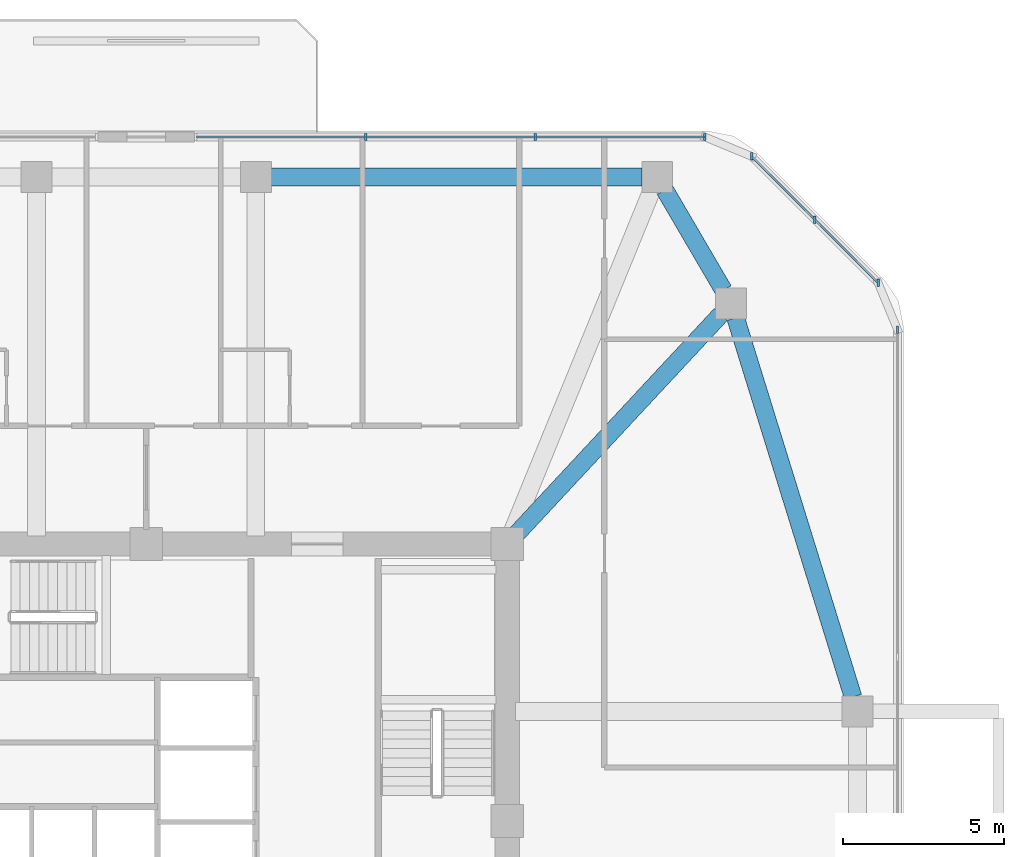
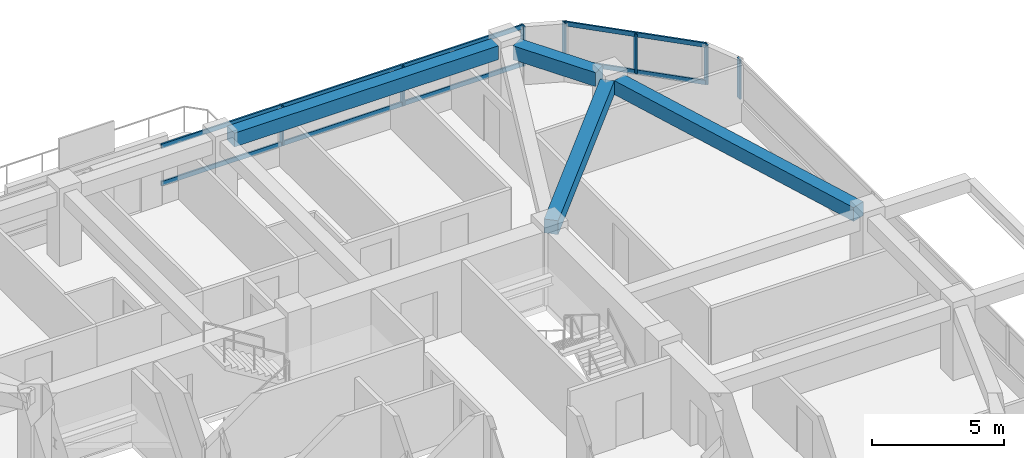
# One storey, part 5 of 12: 11 members, 4 beams, 3 elements without a shape of their own.
"""IFC4 building model written with IfcOpenShell, lengths in metres."""

from ifc_helpers import new_model, si_unit, derived_unit, direction, frame, origin, origin_2d, place, context, subcontext, project, spatial, rectangle, extrude, material, material_profile, profile_set, type_object, element, aggregate, save


model = new_model("IFC4")

# Units and contexts
model_context = context("Model", 3, precision=1e-05, world=origin(), true_north=direction((0.0, 1.0)))
body_context = subcontext(model_context, "Body", "Model", "MODEL_VIEW")
ifc_project = project(units=[si_unit("LENGTHUNIT", "METRE"), si_unit("AREAUNIT", "SQUARE_METRE"), si_unit("VOLUMEUNIT", "CUBIC_METRE"), si_unit("PLANEANGLEUNIT", "RADIAN"), si_unit("MASSUNIT", "GRAM", prefix="KILO"), derived_unit("THERMALTRANSMITTANCEUNIT", [(si_unit("POWERUNIT", "WATT"), 1), (si_unit("LENGTHUNIT", "METRE"), -2), (si_unit("THERMODYNAMICTEMPERATUREUNIT", "KELVIN"), -1)])], contexts=[model_context])

# Site, building, storey
site_placement = place(None, origin())
site = spatial("IfcSite", under=ifc_project, at=site_placement, CompositionType="ELEMENT")
building_placement = place(site_placement, origin())
building = spatial("IfcBuilding", under=site, at=building_placement, Name="Koralith Skygarden Medical Center", CompositionType="ELEMENT")
storey_placement = place(building_placement, frame((0.0, 0.0, 138.419921875)))
storey = spatial("IfcBuildingStorey", under=building, at=storey_placement, Name="L35", CompositionType="ELEMENT", Elevation=138.419921875)

# Curtain wall, member
ifc_material_1 = material(Name="Clear Laminated Glass", Category="glass")
curtain_wall_type = type_object("IfcCurtainWallType", Name="CW-4 Zone 3 Waist High-Wind Curtain Wall", PredefinedType="NOTDEFINED", material=ifc_material_1)
curtain_wall_1_placement = place(storey_placement, origin())
curtain_wall_1 = element("IfcCurtainWall", 1, at=curtain_wall_1_placement, inside=storey, type_object=curtain_wall_type, Name="Curtain Wall CW-L35-E", PredefinedType="NOTDEFINED")
ifc_material_2 = material(Name="Aluminium 6063-T6", Category="aluminium")
ifc_material_profile_1 = material_profile(ifc_material_2, rectangle(XDim=0.076904296875, YDim=0.22998046875, at=origin_2d()), Name="MUL77X230")
ifc_profile_set_1 = profile_set([ifc_material_profile_1], Name="Aluminium 6063-T6")
member_type_1 = type_object("IfcMemberType", Name="CW-4 Extruded Mullion 77x230", PredefinedType="MULLION", material=ifc_profile_set_1)
member_1_placement = place(storey_placement, frame((60.303955078125, 41.14501953125, 0.85009765625), z_axis=(0.0, 0.0, 1.0), x_axis=(1.0, 0.0, 0.0)))
member_1 = element("IfcMember", 2, at=member_1_placement, type_object=member_type_1, Name="CW-L35-E Mullion 4", PredefinedType="MULLION", context=body_context, shape_type="SweptSolid", body=[
    extrude(rectangle(XDim=0.076904296875, YDim=0.22998046875, at=origin_2d()), origin(), (0.0, 0.0, 1.0), 1.820068359375),
])
aggregate(curtain_wall_1, [member_1])

# Curtain wall, members
curtain_wall_2_placement = place(storey_placement, origin())
curtain_wall_2 = element("IfcCurtainWall", 3, at=curtain_wall_2_placement, inside=storey, type_object=curtain_wall_type, Name="Curtain Wall CW-L35-NE", PredefinedType="NOTDEFINED")
member_2_placement = place(storey_placement, frame((59.702880859375, 42.595947265625, 0.85009765625), z_axis=(0.0, 0.0, 1.0), x_axis=(1.0, 0.0, 0.0)))
member_2 = element("IfcMember", 4, at=member_2_placement, type_object=member_type_1, Name="CW-L35-NE Mullion 1", PredefinedType="MULLION", context=body_context, shape_type="SweptSolid", body=[
    extrude(rectangle(XDim=0.076904296875, YDim=0.22998046875, at=origin_2d()), origin(), (0.0, 0.0, 1.0), 1.820068359375),
])
member_3_placement = place(storey_placement, frame((57.741943359375, 44.556884765625, 0.85009765625), z_axis=(0.0, 0.0, 1.0), x_axis=(1.0, 0.0, 0.0)))
member_3 = element("IfcMember", 5, at=member_3_placement, type_object=member_type_1, Name="CW-L35-NE Mullion 2", PredefinedType="MULLION", context=body_context, shape_type="SweptSolid", body=[
    extrude(rectangle(XDim=0.076904296875, YDim=0.22998046875, at=origin_2d()), origin(), (0.0, 0.0, 1.0), 1.820068359375),
])
member_4_placement = place(storey_placement, frame((55.780029296875, 46.51904296875, 0.85009765625), z_axis=(0.0, 0.0, 1.0), x_axis=(1.0, 0.0, 0.0)))
member_4 = element("IfcMember", 6, at=member_4_placement, type_object=member_type_1, Name="CW-L35-NE Mullion 3", PredefinedType="MULLION", context=body_context, shape_type="SweptSolid", body=[
    extrude(rectangle(XDim=0.076904296875, YDim=0.22998046875, at=origin_2d()), origin(), (0.0, 0.0, 1.0), 1.820068359375),
])

curtain_wall_3_placement = place(storey_placement, origin())
curtain_wall_3 = element("IfcCurtainWall", 7, at=curtain_wall_3_placement, inside=storey, type_object=curtain_wall_type, Name="Curtain Wall CW-L35-N-L", PredefinedType="NOTDEFINED")
member_5_placement = place(storey_placement, frame((54.3291015625, 47.1201171875, 0.85009765625), z_axis=(0.0, 0.0, 1.0), x_axis=(1.0, 0.0, 0.0)))
member_5 = element("IfcMember", 8, at=member_5_placement, type_object=member_type_1, Name="CW-L35-N-L Mullion 1", PredefinedType="MULLION", context=body_context, shape_type="SweptSolid", body=[
    extrude(rectangle(XDim=0.076904296875, YDim=0.22998046875, at=origin_2d()), origin(), (0.0, 0.0, 1.0), 1.820068359375),
])
member_6_placement = place(storey_placement, frame((49.06591796875, 47.1201171875, 0.85009765625), z_axis=(0.0, 0.0, 1.0), x_axis=(1.0, 0.0, 0.0)))
member_6 = element("IfcMember", 9, at=member_6_placement, type_object=member_type_1, Name="CW-L35-N-L Mullion 2", PredefinedType="MULLION", context=body_context, shape_type="SweptSolid", body=[
    extrude(rectangle(XDim=0.076904296875, YDim=0.22998046875, at=origin_2d()), origin(), (0.0, 0.0, 1.0), 1.820068359375),
])
member_7_placement = place(storey_placement, frame((43.803955078125, 47.1201171875, 0.85009765625), z_axis=(0.0, 0.0, 1.0), x_axis=(1.0, 0.0, 0.0)))
member_7 = element("IfcMember", 10, at=member_7_placement, type_object=member_type_1, Name="CW-L35-N-L Mullion 3", PredefinedType="MULLION", context=body_context, shape_type="SweptSolid", body=[
    extrude(rectangle(XDim=0.076904296875, YDim=0.22998046875, at=origin_2d()), origin(), (0.0, 0.0, 1.0), 1.820068359375),
])

# Member
ifc_material_profile_2 = material_profile(ifc_material_2, rectangle(XDim=0.072021484375, YDim=0.20703125, at=origin_2d()), Name="TRN72X207")
ifc_profile_set_2 = profile_set([ifc_material_profile_2], Name="Aluminium 6063-T6")
member_type_2 = type_object("IfcMemberType", Name="CW-4 Thermal Transom 72x207", PredefinedType="USERDEFINED", material=ifc_profile_set_2)
member_8_placement = place(storey_placement, frame((59.702880859375, 42.595947265625, 0.900146484375), z_axis=(-0.707084777957, 0.707128783731, 0.0), x_axis=(-0.707128783731, -0.707084777957, 0.0)))
member_8 = element("IfcMember", 11, at=member_8_placement, type_object=member_type_2, Name="CW-L35-NE Transom 1", ObjectType="TRANSOM", PredefinedType="USERDEFINED", context=body_context, shape_type="SweptSolid", body=[
    extrude(rectangle(XDim=0.072021484375, YDim=0.20703125, at=origin_2d()), origin(), (0.0, 0.0, 1.0), 5.5478515625),
])

member_9_placement = place(storey_placement, frame((59.702880859375, 42.595947265625, 2.6201171875), z_axis=(-0.707084777957, 0.707128783731, 0.0), x_axis=(-0.707128783731, -0.707084777957, 0.0)))
member_9 = element("IfcMember", 12, at=member_9_placement, type_object=member_type_2, Name="CW-L35-NE Transom 2", ObjectType="TRANSOM", PredefinedType="USERDEFINED", context=body_context, shape_type="SweptSolid", body=[
    extrude(rectangle(XDim=0.072021484375, YDim=0.20703125, at=origin_2d()), origin(), (0.0, 0.0, 1.0), 5.5478515625),
])

aggregate(curtain_wall_2, [member_2, member_3, member_4, member_8, member_9])

member_10_placement = place(storey_placement, frame((54.3291015625, 47.1201171875, 0.900146484375), z_axis=(-1.0, 0.0, 0.0), x_axis=(0.0, -1.0, 0.0)))
member_10 = element("IfcMember", 13, at=member_10_placement, type_object=member_type_2, Name="CW-L35-N-L Transom 1", ObjectType="TRANSOM", PredefinedType="USERDEFINED", context=body_context, shape_type="SweptSolid", body=[
    extrude(rectangle(XDim=0.072021484375, YDim=0.20703125, at=origin_2d()), origin(), (0.0, 0.0, 1.0), 15.7880859375),
])

member_11_placement = place(storey_placement, frame((54.3291015625, 47.1201171875, 2.6201171875), z_axis=(-1.0, 0.0, 0.0), x_axis=(0.0, -1.0, 0.0)))
member_11 = element("IfcMember", 14, at=member_11_placement, type_object=member_type_2, Name="CW-L35-N-L Transom 2", ObjectType="TRANSOM", PredefinedType="USERDEFINED", context=body_context, shape_type="SweptSolid", body=[
    extrude(rectangle(XDim=0.072021484375, YDim=0.20703125, at=origin_2d()), origin(), (0.0, 0.0, 1.0), 15.7880859375),
])

aggregate(curtain_wall_3, [member_5, member_6, member_7, member_10, member_11])

# Beams
ifc_material_3 = material(Name="Concrete C45/55", Category="concrete")
ifc_material_profile_3 = material_profile(ifc_material_3, rectangle(XDim=0.550048828125, YDim=0.639892578125, at=origin_2d()), Name="RCB550X640")
ifc_profile_set_3 = profile_set([ifc_material_profile_3], Name="Concrete C45/55")
beam_type_1 = type_object("IfcBeamType", Name="Radial Collector Beam RCB550X640", PredefinedType="BEAM", material=ifc_profile_set_3)
beam_1_placement = place(storey_placement, frame((48.3701171875, 34.68310546875, 3.0), z_axis=(0.681369011591, 0.731940072713, 0.0), x_axis=(-0.731940072713, 0.681369011591, 0.0)))
element("IfcBeam", 15, at=beam_1_placement, inside=storey, type_object=beam_type_1, Name="L35 Radial Collector Beam RB-10", PredefinedType="BEAM", context=body_context, shape_type="SweptSolid", body=[
    extrude(rectangle(XDim=0.550048828125, YDim=0.639892578125, at=origin_2d()), origin(), (0.0, 0.0, 1.0), 9.471923828125),
])
ifc_material_profile_4 = material_profile(ifc_material_3, rectangle(XDim=0.550048828125, YDim=0.639892578125, at=origin_2d()), Name="RCB550X640")
ifc_profile_set_4 = profile_set([ifc_material_profile_4], Name="Concrete C45/55")
beam_type_2 = type_object("IfcBeamType", Name="Zone 2-3 Spandrel Beam RCB550X640", PredefinedType="SPANDREL", material=ifc_profile_set_4)
beam_2_placement = place(storey_placement, frame((58.925048828125, 29.7490234375, 3.0), z_axis=(-0.295793585147, 0.955251880389, 0.0), x_axis=(-0.955251880389, -0.295793585147, 0.0)))
element("IfcBeam", 16, at=beam_2_placement, inside=storey, type_object=beam_type_2, Name="L35 Perimeter Spandrel Beam SP-09", PredefinedType="SPANDREL", context=body_context, shape_type="SweptSolid", body=[
    extrude(rectangle(XDim=0.550048828125, YDim=0.639892578125, at=origin_2d()), origin(), (0.0, 0.0, 1.0), 12.31298828125),
])
beam_3_placement = place(storey_placement, frame((54.906982421875, 42.365966796875, 3.0), z_axis=(-0.504861391295, 0.863200426077, 0.0), x_axis=(-0.863200426077, -0.504861391295, 0.0)))
element("IfcBeam", 17, at=beam_3_placement, inside=storey, type_object=beam_type_2, Name="L35 Perimeter Spandrel Beam SP-10", PredefinedType="SPANDREL", context=body_context, shape_type="SweptSolid", body=[
    extrude(rectangle(XDim=0.550048828125, YDim=0.639892578125, at=origin_2d()), origin(), (0.0, 0.0, 1.0), 3.600830078125),
])
beam_4_placement = place(storey_placement, frame((52.382080078125, 45.8798828125, 3.0), z_axis=(-1.0, 0.0, 0.0), x_axis=(0.0, -1.0, 0.0)))
element("IfcBeam", 18, at=beam_4_placement, inside=storey, type_object=beam_type_2, Name="L35 Perimeter Spandrel Beam SP-11", PredefinedType="SPANDREL", context=body_context, shape_type="SweptSolid", body=[
    extrude(rectangle(XDim=0.550048828125, YDim=0.639892578125, at=origin_2d()), origin(), (0.0, 0.0, 1.0), 11.511962890625),
])

save(model, "model.ifc")
